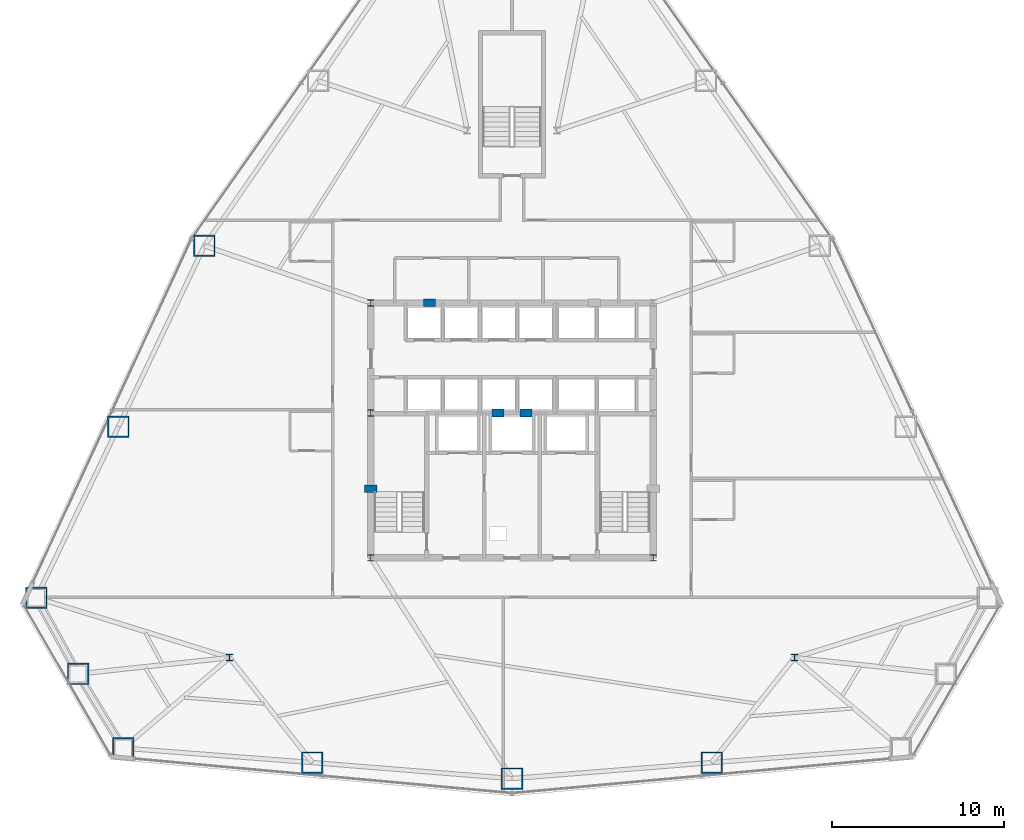
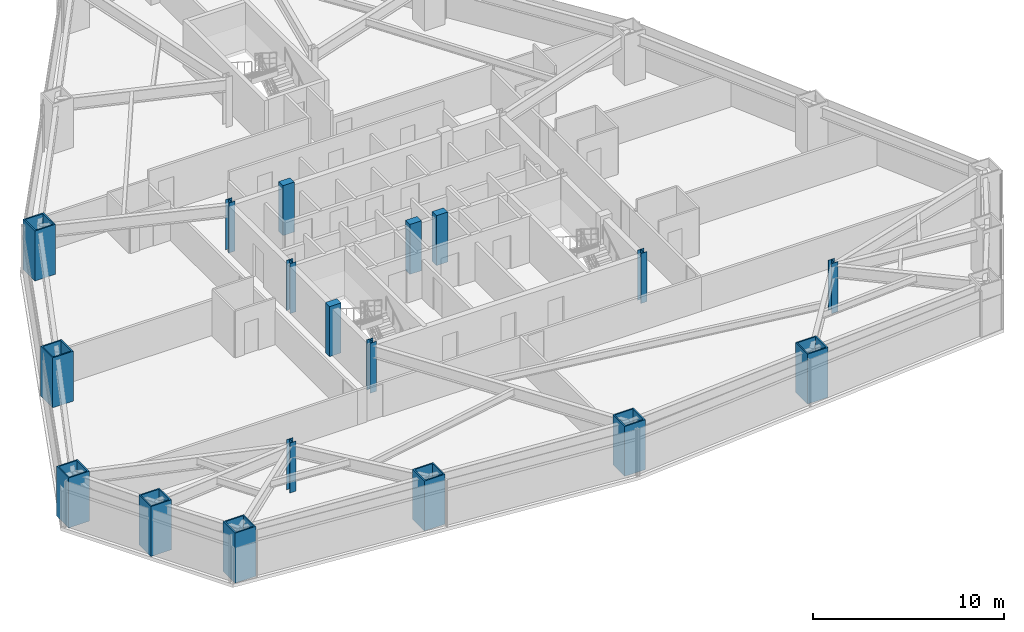
# One storey, part 1 of 12: 18 columns.
"""IFC4 building model written with IfcOpenShell, lengths in metres."""

import ifcopenshell
import ifcopenshell.guid

model = None  # the IFC model being written
_history = None  # IfcOwnerHistory: only IFC2X3 demands one
_inside = {}  # id of a spatial element -> (the spatial element, [elements in it])
_under = {}  # id of a project, library or spatial element -> (it, [spatial elements below it])
_declared = {}  # id of a project -> (the project, [libraries it declares])
_typed = {}  # id of a type object -> (the type object, [elements of that type])
_made_of = {}  # id of a material, layer set ... -> (it, [elements and type objects made of it])


def new_model(schema):
    """Start an empty IFC model of exactly this schema.

    Asked for "IFC4X3", IfcOpenShell would pick the latest addendum, in which some entities
    have other attributes; the version numbers below select the first issue.
    IFC2X3 requires an IfcOwnerHistory on every rooted entity: one is made here for all.
    """
    global model, _history
    if schema == "IFC4X3":
        model = ifcopenshell.file(schema_version=(4, 3, 0, 0))
    else:
        model = ifcopenshell.file(schema=schema)
    _inside.clear()
    _under.clear()
    _declared.clear()
    _typed.clear()
    _made_of.clear()
    _history = None
    if model.schema == "IFC2X3":
        org = make("IfcOrganization", Name="unknown")
        user = make(
            "IfcPersonAndOrganization",
            ThePerson=make("IfcPerson", FamilyName="unknown"),
            TheOrganization=org,
        )
        app = make(
            "IfcApplication",
            ApplicationDeveloper=org,
            Version="unknown",
            ApplicationFullName="unknown",
            ApplicationIdentifier="unknown",
        )
        _history = make(
            "IfcOwnerHistory",
            OwningUser=user,
            OwningApplication=app,
            ChangeAction="ADDED",
            CreationDate=0,
        )
    return model


def make(cls, **values):
    """One entity of the class cls with the attributes given. An attribute that is None is left unset."""
    return model.create_entity(
        cls, **{name: value for name, value in values.items() if value is not None}
    )


def rooted(cls, **values):
    """An entity with a GlobalId (a new one), such as an element, a storey or a relation."""
    return make(cls, GlobalId=ifcopenshell.guid.new(), OwnerHistory=_history, **values)


def si_unit(unit_type, name, prefix=None):
    """IfcSIUnit, for example si_unit("LENGTHUNIT", "METRE", prefix="MILLI")."""
    return make("IfcSIUnit", UnitType=unit_type, Prefix=prefix, Name=name)


def assignment(units):
    """IfcUnitAssignment: the units of a project."""
    return None if units is None else make("IfcUnitAssignment", Units=units)


def point(xyz):
    """IfcCartesianPoint."""
    return None if xyz is None else make("IfcCartesianPoint", Coordinates=xyz)


def direction(xyz):
    """IfcDirection."""
    return None if xyz is None else make("IfcDirection", DirectionRatios=xyz)


def frame(location, z_axis=None, x_axis=None):
    """IfcAxis2Placement3D, a coordinate frame: its origin and axes. An axis left out is left unset."""
    return make(
        "IfcAxis2Placement3D",
        Location=point(location),
        Axis=direction(z_axis),
        RefDirection=direction(x_axis),
    )


def frame_2d(location, x_axis=None):
    """IfcAxis2Placement2D, a coordinate frame in the plane: its origin and x axis."""
    return make(
        "IfcAxis2Placement2D", Location=point(location), RefDirection=direction(x_axis)
    )


def origin():
    """The frame at (0, 0, 0) with its axes left unset."""
    return frame((0.0, 0.0, 0.0))


def origin_2d():
    """The frame at (0, 0) in the plane with its x axis left unset."""
    return frame_2d((0.0, 0.0))


def place(relative_to, where):
    """IfcLocalPlacement: puts the frame where relative to a parent placement (None: the world)."""
    return make(
        "IfcLocalPlacement", PlacementRelTo=relative_to, RelativePlacement=where
    )


def context(
    kind, dimensions, precision=None, world=None, true_north=None, identifier=None
):
    """IfcGeometricRepresentationContext, for example the 3D "Model" context."""
    return make(
        "IfcGeometricRepresentationContext",
        ContextIdentifier=identifier,
        ContextType=kind,
        CoordinateSpaceDimension=dimensions,
        Precision=precision,
        WorldCoordinateSystem=world,
        TrueNorth=true_north,
    )


def subcontext(parent, identifier, kind, view, scale=None):
    """IfcGeometricRepresentationSubContext, for example "Body" below "Model"."""
    return make(
        "IfcGeometricRepresentationSubContext",
        ContextIdentifier=identifier,
        ContextType=kind,
        ParentContext=parent,
        TargetScale=scale,
        TargetView=view,
    )


def project(units=None, contexts=None):
    """IfcProject with its units and contexts."""
    return rooted(
        "IfcProject",
        Name="project",
        RepresentationContexts=contexts,
        UnitsInContext=assignment(units),
    )


def spatial(cls, under=None, at=None, **own):
    """A site, building, storey or space (cls), placed at a placement, below another one or the project."""
    s = rooted(cls, ObjectPlacement=at, **own)
    if under is not None:
        _under.setdefault(under.id(), (under, []))[1].append(s)
    return s


def profile(cls, at=None, kind="AREA", **sizes):
    """A parametric profile (cls). Its sizes go by their IFC names, for example OverallWidth=200.0."""
    return make(cls, ProfileType=kind, Position=at, **sizes)


def rectangle(**sizes):
    """IfcRectangleProfileDef."""
    return profile("IfcRectangleProfileDef", **sizes)


def hollow_rectangle(**sizes):
    """IfcRectangleHollowProfileDef."""
    return profile("IfcRectangleHollowProfileDef", **sizes)


def i_section(**sizes):
    """IfcIShapeProfileDef."""
    return profile("IfcIShapeProfileDef", **sizes)


def extrude(swept, where, along, depth):
    """IfcExtrudedAreaSolid: the profile swept, set in the frame where, extruded along a direction by depth."""
    return make(
        "IfcExtrudedAreaSolid",
        SweptArea=swept,
        Position=where,
        ExtrudedDirection=direction(along),
        Depth=depth,
    )


def shape(context_of_items, identifier, shape_type, items):
    """IfcShapeRepresentation: the items that make up one representation, for example the "Body"."""
    return make(
        "IfcShapeRepresentation",
        ContextOfItems=context_of_items,
        RepresentationIdentifier=identifier,
        RepresentationType=shape_type,
        Items=items,
    )


def material(Name=None, Category=None):
    """IfcMaterial."""
    return make("IfcMaterial", Name=Name, Category=Category)


def material_profile(
    of_material, cross_section, Name=None, Category=None, Priority=None
):
    """IfcMaterialProfile: a cross section and its material."""
    return make(
        "IfcMaterialProfile",
        Name=Name,
        Material=of_material,
        Profile=cross_section,
        Priority=Priority,
        Category=Category,
    )


def profile_set(profiles, Name=None, composite=None):
    """IfcMaterialProfileSet."""
    return make(
        "IfcMaterialProfileSet",
        Name=Name,
        MaterialProfiles=profiles,
        CompositeProfile=composite,
    )


def made_of(thing, what):
    """Note that an element or type object is made of a material, layer set ...; save() writes the relation."""
    if what is not None:
        _made_of.setdefault(what.id(), (what, []))[1].append(thing)
    return thing


def type_object(cls, material=None, **own):
    """A type object (cls), such as IfcWallType, which elements share."""
    return made_of(rooted(cls, **own), material)


def element(
    cls,
    number,
    at=None,
    inside=None,
    cuts=None,
    type_object=None,
    material=None,
    context=None,
    identifier="Body",
    shape_type=None,
    held_by="IfcProductDefinitionShape",
    body=None,
    shapes=None,
    **own,
):
    """One element of the class cls, such as IfcWall. Its Tag is "e" and its number.

    at: its placement. inside: the storey or other place that contains it. cuts: it is an
    opening in that element (IfcRelVoidsElement). A single representation is given by context,
    identifier, shape_type and body (its items); several are given by shapes. held_by: the class
    of the entity that holds the representations. save() writes the other relations.
    """
    e = rooted(cls, Tag="e%d" % number, ObjectPlacement=at, **own)
    if body is not None:
        shapes = [shape(context, identifier, shape_type, body)]
    if shapes is not None:
        e.Representation = make(held_by, Representations=shapes)
    if inside is not None:
        _inside.setdefault(inside.id(), (inside, []))[1].append(e)
    if cuts is not None:
        rooted(
            "IfcRelVoidsElement", RelatingBuildingElement=cuts, RelatedOpeningElement=e
        )
    if type_object is not None:
        _typed.setdefault(type_object.id(), (type_object, []))[1].append(e)
    return made_of(e, material)


def aggregate(whole, parts):
    """IfcRelAggregates: a whole, such as a stair, and the parts it consists of."""
    return rooted("IfcRelAggregates", RelatingObject=whole, RelatedObjects=parts)


def save(model, path):
    """Write the relations noted so far, then the file.

    IfcRelAggregates (storeys below a building ...), IfcRelContainedInSpatialStructure (elements
    in a storey), IfcRelDefinesByType, IfcRelAssociatesMaterial and IfcRelDeclares: one each for
    every whole, place, type object, material and project.
    """
    for whole, parts in _under.values():
        aggregate(whole, parts)
    for where, things in _inside.values():
        rooted(
            "IfcRelContainedInSpatialStructure",
            RelatedElements=things,
            RelatingStructure=where,
        )
    for kind, things in _typed.values():
        rooted("IfcRelDefinesByType", RelatedObjects=things, RelatingType=kind)
    for what, things in _made_of.values():
        rooted("IfcRelAssociatesMaterial", RelatedObjects=things, RelatingMaterial=what)
    for by, libraries in _declared.values():
        rooted("IfcRelDeclares", RelatingContext=by, RelatedDefinitions=libraries)
    model.write(path)


model = new_model("IFC4")

# Units and contexts
model_context = context("Model", 3, precision=1e-05, world=origin(), true_north=direction((0.0, 1.0)))
body_context = subcontext(model_context, "Body", "Model", "MODEL_VIEW")
ifc_project = project(units=[si_unit("LENGTHUNIT", "METRE"), si_unit("AREAUNIT", "SQUARE_METRE"), si_unit("VOLUMEUNIT", "CUBIC_METRE"), si_unit("PLANEANGLEUNIT", "RADIAN"), si_unit("MASSUNIT", "GRAM", prefix="KILO")], contexts=[model_context])

# Site, building, storey
site_placement = place(None, origin())
site = spatial("IfcSite", under=ifc_project, at=site_placement, CompositionType="ELEMENT")
building_placement = place(site_placement, origin())
building = spatial("IfcBuilding", under=site, at=building_placement, Name="Varakhsha Concourse Tower", CompositionType="ELEMENT")
storey_placement = place(building_placement, frame((0.0, 0.0, 43.199951171875)))
storey = spatial("IfcBuildingStorey", under=building, at=storey_placement, Name="L11", CompositionType="ELEMENT", Elevation=43.199951171875)

# Columns
ifc_material_1 = material(Name="Structural Steel ASTM A992 Grade 50", Category="steel")
ifc_material_profile_1 = material_profile(ifc_material_1, i_section(OverallWidth=0.3740234375, OverallDepth=0.3720703125, WebThickness=0.01611328125, FlangeThickness=0.02587890625, at=origin_2d()), Name="W14X132")
ifc_profile_set_1 = profile_set([ifc_material_profile_1], Name="Structural Steel ASTM A992 Grade 50")
column_type_1 = type_object("IfcColumnType", Name="CL-CORE-W14X132", PredefinedType="COLUMN", material=ifc_profile_set_1)
for number, where, z_axis, x_axis, name in (
    (1, (31.800048828125, 16.39990234375, 0.0), (0.0, 0.0, 1.0), (1.0, 0.0, 0.0), "L11 Core Column CC-SW"),
    (2, (48.199951171875, 16.39990234375, 0.0), (0.0, 0.0, 1.0), (1.0, 0.0, 0.0), "L11 Core Column CC-SE"),
    (3, (31.800048828125, 24.800048828125, 0.0), (0.0, 0.0, 1.0), (1.0, 0.0, 0.0), "L11 Core Column CC-MW"),
    (4, (31.800048828125, 31.199951171875, 0.0), (0.0, 0.0, 1.0), (1.0, 0.0, 0.0), "L11 Core Column CC-NW"),
    (5, (23.60009765625, 10.60009765625, 0.0), (0.0, 0.0, 1.0), (1.0, 0.0, 0.0), "L11 Core Column SS-W"),
    (6, (56.39990234375, 10.60009765625, 0.0), (0.0, 0.0, 1.0), (1.0, 0.0, 0.0), "L11 Core Column SS-E"),
):
    element("IfcColumn", number, at=place(storey_placement, frame(where, z_axis=z_axis, x_axis=x_axis)), inside=storey, type_object=column_type_1, Name=name, PredefinedType="COLUMN", context=body_context, shape_type="SweptSolid", body=[
        extrude(i_section(OverallWidth=0.3740234375, OverallDepth=0.3720703125, WebThickness=0.01611328125, FlangeThickness=0.02587890625, at=origin_2d()), origin(), (0.0, 0.0, 1.0), 3.199951171875),
    ])
ifc_material_2 = material(Name="Concrete fc 65 MPa", Category="concrete")
ifc_material_profile_2 = material_profile(ifc_material_2, rectangle(XDim=0.699951171875, YDim=0.449951171875, at=origin_2d()), Name="RC 700x450")
ifc_profile_set_2 = profile_set([ifc_material_profile_2], Name="Concrete fc 65 MPa")
column_type_2 = type_object("IfcColumnType", Name="CL-PIL-700X450", PredefinedType="PILASTER", material=ifc_profile_set_2)
for number, where, z_axis, x_axis, name in (
    (7, (31.800048828125, 20.39990234375, 0.0), (0.0, 0.0, 1.0), (1.0, 0.0, 0.0), "L11 Core Boundary Pilaster PIL-W1"),
    (8, (35.199951171875, 31.199951171875, 0.0), (0.0, 0.0, 1.0), (1.0, 0.0, 0.0), "L11 Core Boundary Pilaster PIL-N1"),
    (9, (39.199951171875, 24.800048828125, 0.0), (0.0, 0.0, 1.0), (1.0, 0.0, 0.0), "L11 Core Boundary Pilaster PIL-M1"),
    (10, (40.800048828125, 24.800048828125, 0.0), (0.0, 0.0, 1.0), (1.0, 0.0, 0.0), "L11 Core Boundary Pilaster PIL-M2"),
):
    element("IfcColumn", number, at=place(storey_placement, frame(where, z_axis=z_axis, x_axis=x_axis)), inside=storey, type_object=column_type_2, Name=name, PredefinedType="PILASTER", context=body_context, shape_type="SweptSolid", body=[
        extrude(rectangle(XDim=0.699951171875, YDim=0.449951171875, at=origin_2d()), origin(), (0.0, 0.0, 1.0), 3.199951171875),
    ])
ifc_material_3 = material(Name="Structural Steel ASTM A572 Grade 50", Category="steel")
ifc_material_profile_3 = material_profile(ifc_material_3, hollow_rectangle(XDim=1.25, YDim=1.25, WallThickness=0.080078125, at=origin_2d()), Name="BOX 1250x1250x80")
ifc_profile_set_3 = profile_set([ifc_material_profile_3], Name="Structural Steel ASTM A572 Grade 50")
column_type_3 = type_object("IfcColumnType", Name="CL-TUBE-1250", PredefinedType="COLUMN", material=ifc_profile_set_3)
for number, where, z_axis, x_axis, name in (
    (11, (22.144775390625, 34.5087890625, 0.0), (0.0, 0.0, 1.0), (1.0, 0.0, 0.0), "L11 Framed-Tube Column TC05"),
    (12, (17.15283203125, 24.004150390625, 0.0), (0.0, 0.0, 1.0), (1.0, 0.0, 0.0), "L11 Framed-Tube Column TC06"),
    (13, (12.389404296875, 14.07958984375, 0.0), (0.0, 0.0, 1.0), (1.0, 0.0, 0.0), "L11 Framed-Tube Column TC07"),
    (14, (14.80859375, 9.65576171875, 0.0), (0.0, 0.0, 1.0), (1.0, 0.0, 0.0), "L11 Framed-Tube Column TC08"),
    (15, (17.430419921875, 5.3486328125, 0.0), (0.0, 0.0, 1.0), (1.0, 0.0, 0.0), "L11 Framed-Tube Column TC09"),
    (16, (28.40673828125, 4.51171875, 0.0), (0.0, 0.0, 1.0), (1.0, 0.0, 0.0), "L11 Framed-Tube Column TC10"),
    (17, (40.0, 3.58251953125, 0.0), (0.0, 0.0, 1.0), (1.0, 0.0, 0.0), "L11 Framed-Tube Column TC11"),
    (18, (51.59326171875, 4.51171875, 0.0), (0.0, 0.0, 1.0), (1.0, 0.0, 0.0), "L11 Framed-Tube Column TC12"),
):
    element("IfcColumn", number, at=place(storey_placement, frame(where, z_axis=z_axis, x_axis=x_axis)), inside=storey, type_object=column_type_3, Name=name, PredefinedType="COLUMN", context=body_context, shape_type="SweptSolid", body=[
        extrude(hollow_rectangle(XDim=1.25, YDim=1.25, WallThickness=0.080078125, at=origin_2d()), origin(), (0.0, 0.0, 1.0), 3.199951171875),
    ])

save(model, "model.ifc")
